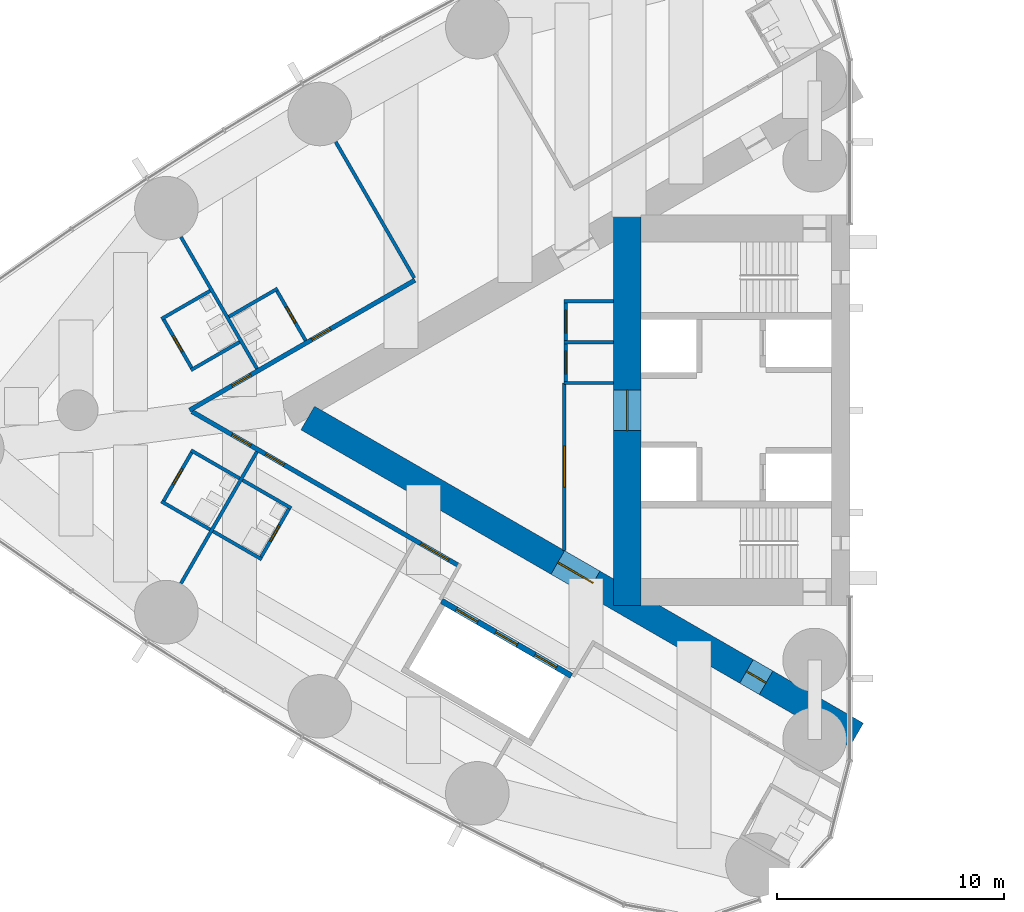
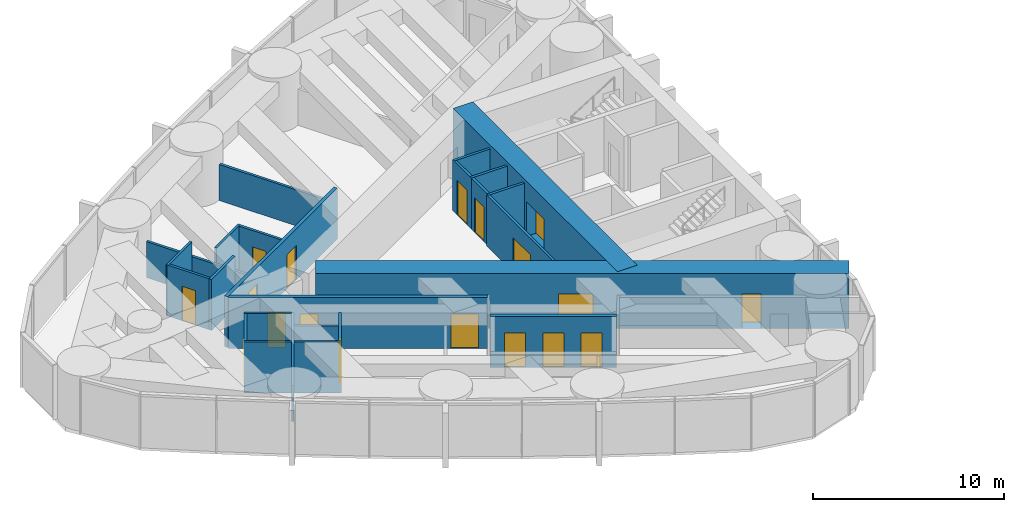
# One storey, part 12 of 18: 25 walls, 18 doors, 18 openings.
"""IFC4 building model written with IfcOpenShell, lengths in metres."""

from ifc_helpers import new_model, si_unit, direction, frame, frame_2d, origin, place, context, subcontext, project, spatial, rectangle, extrude, material, layer, layer_set, type_object, element, fill, save


model = new_model("IFC4")

# Units and contexts
model_context = context("Model", 3, precision=1e-05, world=origin(), true_north=direction((0.0, 1.0)))
body_context = subcontext(model_context, "Body", "Model", "MODEL_VIEW")
ifc_project = project(units=[si_unit("LENGTHUNIT", "METRE"), si_unit("AREAUNIT", "SQUARE_METRE"), si_unit("VOLUMEUNIT", "CUBIC_METRE"), si_unit("PLANEANGLEUNIT", "RADIAN"), si_unit("MASSUNIT", "GRAM", prefix="KILO")], contexts=[model_context])

# Site, building, storey
site_placement = place(None, origin())
site = spatial("IfcSite", under=ifc_project, at=site_placement, CompositionType="ELEMENT")
building_placement = place(site_placement, origin())
building = spatial("IfcBuilding", under=site, at=building_placement, Name="Lancet Gate Hotel", CompositionType="ELEMENT")
storey_placement = place(building_placement, frame((0.0, 0.0, 166.800048828125)))
storey = spatial("IfcBuildingStorey", under=building, at=storey_placement, Name="L44", CompositionType="ELEMENT", Elevation=166.800048828125)

# Wall
ifc_material_1 = material(Name="Moisture resistant board partition")
ifc_layer_1 = layer(ifc_material_1, 0.14990234375)
ifc_layer_set_1 = layer_set([ifc_layer_1], Name="Bathroom wall 150")
wall_type_1 = type_object("IfcWallType", Name="Bathroom wall 150", PredefinedType="PARTITIONING", material=ifc_layer_set_1)
wall_1_placement = place(storey_placement, frame((-52.693603515625, 5.354736328125, 0.0), z_axis=(0.0, 0.0, 1.0), x_axis=(-0.866031185235, -0.4999899861, 0.0)))
element("IfcWall", 1, at=wall_1_placement, inside=storey, type_object=wall_type_1, Name="T1 bathroom wall 150 L44", PredefinedType="PARTITIONING", context=body_context, shape_type="SweptSolid", body=[
    extrude(rectangle(XDim=2.47509765625, YDim=0.14990234375, at=frame_2d((1.237548828125, 0.0))), origin(), (0.0, 0.0, 1.0), 3.25),
])

# Wall, opening, door
wall_2_placement = place(storey_placement, frame((-51.458740234375, 3.0654296875, 0.0), z_axis=(0.0, 0.0, 1.0), x_axis=(-0.499936506574, 0.866062058628, 0.0)))
wall_2 = element("IfcWall", 2, at=wall_2_placement, inside=storey, type_object=wall_type_1, Name="T1 bathroom wall 150 L44", PredefinedType="PARTITIONING", context=body_context, shape_type="SweptSolid", body=[
    extrude(rectangle(XDim=2.599853515625, YDim=0.14990234375, at=frame_2d((1.2998046875, 0.0))), origin(), (0.0, 0.0, 1.0), 3.25),
])
opening_1_placement = place(wall_2_placement, frame((0.89990234375, 0.0, 0.0)))
opening_1 = element("IfcOpeningElement", 3, at=opening_1_placement, cuts=wall_2, Name="Opening 4403-B", PredefinedType="OPENING", context=body_context, shape_type="SweptSolid", body=[
    extrude(rectangle(XDim=0.800048828125, YDim=2.199951171875, at=frame_2d((0.39990234375, 1.10009765625))), frame((0.0, 0.0849609375, 0.0), z_axis=(0.0, -1.0, 0.0), x_axis=(1.0, 0.0, 0.0)), (0.0, 0.0, 1.0), 0.169921875),
])
ifc_material_2 = material(Name="Timber door set", Category="wood")
door_type_1 = type_object("IfcDoorType", Name="Bathroom door 800", OperationType="SINGLE_SWING_RIGHT", PredefinedType="DOOR", material=ifc_material_2)
door_1_placement = place(opening_1_placement, origin())
door_1 = element("IfcDoor", 4, at=door_1_placement, inside=storey, type_object=door_type_1, Name="4403-B", OperationType="SINGLE_SWING_RIGHT", OverallHeight=2.199951171875, OverallWidth=0.800048828125, PredefinedType="DOOR", context=body_context, shape_type="SweptSolid", body=[
    extrude(rectangle(XDim=0.800048828125, YDim=2.199951171875, at=frame_2d((0.39990234375, 1.10009765625))), frame((0.0, 0.02490234375, 0.0), z_axis=(0.0, -1.0, 0.0), x_axis=(1.0, 0.0, 0.0)), (0.0, 0.0, 1.0), 0.050048828125),
])
fill(opening_1, door_1)

# Wall
wall_3_placement = place(storey_placement, frame((-55.6669921875, 5.254638671875, 0.0), z_axis=(0.0, 0.0, 1.0), x_axis=(-0.866006523861, -0.500032699561, 0.0)))
element("IfcWall", 5, at=wall_3_placement, inside=storey, type_object=wall_type_1, Name="T1 bathroom wall 150 L44", PredefinedType="PARTITIONING", context=body_context, shape_type="SweptSolid", body=[
    extrude(rectangle(XDim=2.474853515625, YDim=0.14990234375, at=frame_2d((1.2373046875, 0.0))), origin(), (0.0, 0.0, 1.0), 3.25),
])

# Wall, opening, door
wall_4_placement = place(storey_placement, frame((-56.445556640625, 1.802978515625, 0.0), z_axis=(0.0, 0.0, 1.0), x_axis=(-0.499936506574, 0.866062058628, 0.0)))
wall_4 = element("IfcWall", 6, at=wall_4_placement, inside=storey, type_object=wall_type_1, Name="T1 bathroom wall 150 L44", PredefinedType="PARTITIONING", context=body_context, shape_type="SweptSolid", body=[
    extrude(rectangle(XDim=2.599853515625, YDim=0.14990234375, at=frame_2d((1.2998046875, 0.0))), origin(), (0.0, 0.0, 1.0), 3.25),
])
opening_2_placement = place(wall_4_placement, frame((0.89990234375, 0.0, 0.0)))
opening_2 = element("IfcOpeningElement", 7, at=opening_2_placement, cuts=wall_4, Name="Opening 4404-B", PredefinedType="OPENING", context=body_context, shape_type="SweptSolid", body=[
    extrude(rectangle(XDim=0.800048828125, YDim=2.199951171875, at=frame_2d((0.39990234375, 1.10009765625))), frame((0.0, 0.0849609375, 0.0), z_axis=(0.0, -1.0, 0.0), x_axis=(1.0, 0.0, 0.0)), (0.0, 0.0, 1.0), 0.169921875),
])
door_2_placement = place(opening_2_placement, origin())
door_2 = element("IfcDoor", 8, at=door_2_placement, inside=storey, type_object=door_type_1, Name="4404-B", OperationType="SINGLE_SWING_RIGHT", OverallHeight=2.199951171875, OverallWidth=0.800048828125, PredefinedType="DOOR", context=body_context, shape_type="SweptSolid", body=[
    extrude(rectangle(XDim=0.800048828125, YDim=2.199951171875, at=frame_2d((0.39990234375, 1.10009765625))), frame((0.0, 0.02490234375, 0.0), z_axis=(0.0, -1.0, 0.0), x_axis=(1.0, 0.0, 0.0)), (0.0, 0.0, 1.0), 0.050048828125),
])
fill(opening_2, door_2)

# Walls
wall_5_placement = place(storey_placement, frame((-54.366943359375, 3.0029296875, 0.0), z_axis=(0.0, 0.0, 1.0), x_axis=(-0.866031185235, -0.4999899861, 0.0)))
element("IfcWall", 9, at=wall_5_placement, inside=storey, type_object=wall_type_1, Name="T1 bathroom wall 150 L44", PredefinedType="PARTITIONING", context=body_context, shape_type="SweptSolid", body=[
    extrude(rectangle(XDim=2.47509765625, YDim=0.14990234375, at=frame_2d((1.237548828125, 0.0))), origin(), (0.0, 0.0, 1.0), 3.25),
])
wall_6_placement = place(storey_placement, frame((-55.6669921875, -5.254638671875, 0.0), z_axis=(0.0, 0.0, 1.0), x_axis=(-0.866006523861, 0.500032699561, 0.0)))
element("IfcWall", 10, at=wall_6_placement, inside=storey, type_object=wall_type_1, Name="T1 bathroom wall 150 L44", PredefinedType="PARTITIONING", context=body_context, shape_type="SweptSolid", body=[
    extrude(rectangle(XDim=2.474853515625, YDim=0.14990234375, at=frame_2d((1.2373046875, 0.0))), origin(), (0.0, 0.0, 1.0), 3.25),
])

# Wall, opening, door
wall_7_placement = place(storey_placement, frame((-56.445556640625, -1.802978515625, 0.0), z_axis=(0.0, 0.0, 1.0), x_axis=(-0.499936506574, -0.866062058628, 0.0)))
wall_7 = element("IfcWall", 11, at=wall_7_placement, inside=storey, type_object=wall_type_1, Name="T1 bathroom wall 150 L44", PredefinedType="PARTITIONING", context=body_context, shape_type="SweptSolid", body=[
    extrude(rectangle(XDim=2.599853515625, YDim=0.14990234375, at=frame_2d((1.2998046875, 0.0))), origin(), (0.0, 0.0, 1.0), 3.25),
])
opening_3_placement = place(wall_7_placement, frame((0.89990234375, 0.0, 0.0)))
opening_3 = element("IfcOpeningElement", 12, at=opening_3_placement, cuts=wall_7, Name="Opening 4405-B", PredefinedType="OPENING", context=body_context, shape_type="SweptSolid", body=[
    extrude(rectangle(XDim=0.800048828125, YDim=2.199951171875, at=frame_2d((0.39990234375, 1.10009765625))), frame((0.0, 0.0849609375, 0.0), z_axis=(0.0, -1.0, 0.0), x_axis=(1.0, 0.0, 0.0)), (0.0, 0.0, 1.0), 0.169921875),
])
door_3_placement = place(opening_3_placement, origin())
door_3 = element("IfcDoor", 13, at=door_3_placement, inside=storey, type_object=door_type_1, Name="4405-B", OperationType="SINGLE_SWING_RIGHT", OverallHeight=2.199951171875, OverallWidth=0.800048828125, PredefinedType="DOOR", context=body_context, shape_type="SweptSolid", body=[
    extrude(rectangle(XDim=0.800048828125, YDim=2.199951171875, at=frame_2d((0.39990234375, 1.10009765625))), frame((0.0, 0.02490234375, 0.0), z_axis=(0.0, -1.0, 0.0), x_axis=(1.0, 0.0, 0.0)), (0.0, 0.0, 1.0), 0.050048828125),
])
fill(opening_3, door_3)

# Walls
for number, where, z_axis, x_axis, name in (
    (14, (-54.366943359375, -3.0029296875, 0.0), (0.0, 0.0, 1.0), (-0.866031185235, 0.4999899861, 0.0), "T1 bathroom wall 150 L44"),
    (15, (-53.3935546875, -6.567138671875, 0.0), (0.0, 0.0, 1.0), (-0.866031185235, 0.4999899861, 0.0), "T1 bathroom wall 150 L44"),
):
    element("IfcWall", number, at=place(storey_placement, frame(where, z_axis=z_axis, x_axis=x_axis)), inside=storey, type_object=wall_type_1, Name=name, PredefinedType="PARTITIONING", context=body_context, shape_type="SweptSolid", body=[
        extrude(rectangle(XDim=2.47509765625, YDim=0.14990234375, at=frame_2d((1.237548828125, 0.0))), origin(), (0.0, 0.0, 1.0), 3.25),
    ])

# Wall, opening, door
wall_8_placement = place(storey_placement, frame((-52.15869140625, -4.278076171875, 0.0), z_axis=(0.0, 0.0, 1.0), x_axis=(-0.500047596559, -0.865997922154, 0.0)))
wall_8 = element("IfcWall", 16, at=wall_8_placement, inside=storey, type_object=wall_type_1, Name="T1 bathroom wall 150 L44", PredefinedType="PARTITIONING", context=body_context, shape_type="SweptSolid", body=[
    extrude(rectangle(XDim=2.599853515625, YDim=0.14990234375, at=frame_2d((1.2998046875, 0.0))), origin(), (0.0, 0.0, 1.0), 3.25),
])
opening_4_placement = place(wall_8_placement, frame((0.89990234375, 0.0, 0.0)))
opening_4 = element("IfcOpeningElement", 17, at=opening_4_placement, cuts=wall_8, Name="Opening 4406-B", PredefinedType="OPENING", context=body_context, shape_type="SweptSolid", body=[
    extrude(rectangle(XDim=0.800048828125, YDim=2.199951171875, at=frame_2d((0.39990234375, 1.10009765625))), frame((0.0, 0.0849609375, 0.0), z_axis=(0.0, -1.0, 0.0), x_axis=(1.0, 0.0, 0.0)), (0.0, 0.0, 1.0), 0.169921875),
])
door_4_placement = place(opening_4_placement, origin())
door_4 = element("IfcDoor", 18, at=door_4_placement, inside=storey, type_object=door_type_1, Name="4406-B", OperationType="SINGLE_SWING_RIGHT", OverallHeight=2.199951171875, OverallWidth=0.800048828125, PredefinedType="DOOR", context=body_context, shape_type="SweptSolid", body=[
    extrude(rectangle(XDim=0.800048828125, YDim=2.199951171875, at=frame_2d((0.39990234375, 1.10009765625))), frame((0.0, 0.02490234375, 0.0), z_axis=(0.0, -1.0, 0.0), x_axis=(1.0, 0.0, 0.0)), (0.0, 0.0, 1.0), 0.050048828125),
])
fill(opening_4, door_4)

# Wall
wall_9_placement = place(storey_placement, frame((-52.09375, -4.3154296875, 0.0), z_axis=(0.0, 0.0, 1.0), x_axis=(-0.866006523861, 0.500032699561, 0.0)))
element("IfcWall", 19, at=wall_9_placement, inside=storey, type_object=wall_type_1, Name="T1 bathroom wall 150 L44", PredefinedType="PARTITIONING", context=body_context, shape_type="SweptSolid", body=[
    extrude(rectangle(XDim=2.474853515625, YDim=0.14990234375, at=frame_2d((1.2373046875, 0.0))), origin(), (0.0, 0.0, 1.0), 2.449951171875),
])

# Wall, openings, doors
ifc_material_3 = material(Name="Concrete C70/85", Category="concrete")
ifc_layer_2 = layer(ifc_material_3, 1.199951171875)
ifc_layer_set_2 = layer_set([ifc_layer_2], Name="Buttress wall 1200")
wall_type_2 = type_object("IfcWallType", Name="Buttress wall 1200", PredefinedType="SHEAR", material=ifc_layer_set_2)
wall_10_placement = place(storey_placement, frame((-27.199951171875, -14.300048828125, 0.0), z_axis=(0.0, 0.0, 1.0), x_axis=(-0.866024021859, 0.500002393557, 0.0)))
wall_10 = element("IfcWall", 20, at=wall_10_placement, inside=storey, type_object=wall_type_2, Name="T1 buttress wall N L44", PredefinedType="SHEAR", context=body_context, shape_type="SweptSolid", body=[
    extrude(rectangle(XDim=27.906982421875, YDim=1.199951171875, at=frame_2d((13.95361328125, 0.0))), origin(), (0.0, 0.0, 1.0), 3.5),
])
opening_5_placement = place(wall_10_placement, frame((4.60009765625, 0.0, 0.0)))
opening_5 = element("IfcOpeningElement", 21, at=opening_5_placement, cuts=wall_10, Name="Opening T1-L44-LN", PredefinedType="OPENING", context=body_context, shape_type="SweptSolid", body=[
    extrude(rectangle(XDim=1.0, YDim=2.199951171875, at=frame_2d((0.5, 1.10009765625))), frame((0.0, 0.60986328125, 0.0), z_axis=(0.0, -1.0, 0.0), x_axis=(1.0, 0.0, 0.0)), (0.0, 0.0, 1.0), 1.219970703125),
])
opening_6_placement = place(wall_10_placement, frame((13.39453125, 0.0, 0.0)))
opening_6 = element("IfcOpeningElement", 22, at=opening_6_placement, cuts=wall_10, Name="Opening T1-L44-LHN", PredefinedType="OPENING", context=body_context, shape_type="SweptSolid", body=[
    extrude(rectangle(XDim=1.800048828125, YDim=2.199951171875, at=frame_2d((0.89990234375, 1.10009765625))), frame((0.0, 0.60986328125, 0.0), z_axis=(0.0, -1.0, 0.0), x_axis=(1.0, 0.0, 0.0)), (0.0, 0.0, 1.0), 1.219970703125),
])
ifc_material_4 = material(Name="Timber door set", Category="wood")
door_type_2 = type_object("IfcDoorType", Name="Lobby double door 1800", OperationType="DOUBLE_DOOR_SINGLE_SWING", PredefinedType="DOOR", material=ifc_material_4)
door_5_placement = place(opening_6_placement, origin())
door_5 = element("IfcDoor", 23, at=door_5_placement, inside=storey, type_object=door_type_2, Name="T1-L44-LHN", OperationType="DOUBLE_DOOR_SINGLE_SWING", OverallHeight=2.199951171875, OverallWidth=1.800048828125, PredefinedType="DOOR", context=body_context, shape_type="SweptSolid", body=[
    extrude(rectangle(XDim=1.800048828125, YDim=2.199951171875, at=frame_2d((0.89990234375, 1.10009765625))), frame((0.0, 0.02490234375, 0.0), z_axis=(0.0, -1.0, 0.0), x_axis=(1.0, 0.0, 0.0)), (0.0, 0.0, 1.0), 0.050048828125),
])
fill(opening_6, door_5)
ifc_material_5 = material(Name="Timber door set", Category="wood")
door_type_3 = type_object("IfcDoorType", Name="Stair lobby door 1000", OperationType="SINGLE_SWING_LEFT", PredefinedType="DOOR", material=ifc_material_5)
door_6_placement = place(opening_5_placement, origin())
door_6 = element("IfcDoor", 24, at=door_6_placement, inside=storey, type_object=door_type_3, Name="T1-L44-LN", OperationType="SINGLE_SWING_LEFT", OverallHeight=2.199951171875, OverallWidth=1.0, PredefinedType="DOOR", context=body_context, shape_type="SweptSolid", body=[
    extrude(rectangle(XDim=1.0, YDim=2.199951171875, at=frame_2d((0.5, 1.10009765625))), frame((0.0, 0.02490234375, 0.0), z_axis=(0.0, -1.0, 0.0), x_axis=(1.0, 0.0, 0.0)), (0.0, 0.0, 1.0), 0.050048828125),
])
fill(opening_5, door_6)

# Wall, opening, door
ifc_material_6 = material(Name="Concrete C70/85", Category="concrete")
ifc_layer_3 = layer(ifc_material_6, 1.199951171875)
ifc_layer_set_3 = layer_set([ifc_layer_3], Name="Core wall 1200")
wall_type_3 = type_object("IfcWallType", Name="Core wall 1200", PredefinedType="SHEAR", material=ifc_layer_set_3)
wall_11_placement = place(storey_placement, frame((-37.300048828125, 8.60009765625, 0.0), z_axis=(0.0, 0.0, 1.0), x_axis=(0.0, -1.0, 0.0)))
wall_11 = element("IfcWall", 25, at=wall_11_placement, inside=storey, type_object=wall_type_3, Name="T1 core wall back L44", PredefinedType="SHEAR", context=body_context, shape_type="SweptSolid", body=[
    extrude(rectangle(XDim=17.2001953125, YDim=1.199951171875, at=frame_2d((8.60009765625, 0.0))), origin(), (0.0, 0.0, 1.0), 3.5),
])
opening_7_placement = place(wall_11_placement, frame((7.699951171875, 0.0, 0.0)))
opening_7 = element("IfcOpeningElement", 26, at=opening_7_placement, cuts=wall_11, Name="Opening T1-L44-LL", PredefinedType="OPENING", context=body_context, shape_type="SweptSolid", body=[
    extrude(rectangle(XDim=1.800048828125, YDim=2.199951171875, at=frame_2d((0.89990234375, 1.10009765625))), frame((0.0, 0.60986328125, 0.0), z_axis=(0.0, -1.0, 0.0), x_axis=(1.0, 0.0, 0.0)), (0.0, 0.0, 1.0), 1.219970703125),
])
door_7_placement = place(opening_7_placement, origin())
door_7 = element("IfcDoor", 27, at=door_7_placement, inside=storey, type_object=door_type_2, Name="T1-L44-LL", OperationType="DOUBLE_DOOR_SINGLE_SWING", OverallHeight=2.199951171875, OverallWidth=1.800048828125, PredefinedType="DOOR", context=body_context, shape_type="SweptSolid", body=[
    extrude(rectangle(XDim=1.800048828125, YDim=2.199951171875, at=frame_2d((0.89990234375, 1.10009765625))), frame((0.0, 0.02490234375, 0.0), z_axis=(0.0, -1.0, 0.0), x_axis=(1.0, 0.0, 0.0)), (0.0, 0.0, 1.0), 0.050048828125),
])
fill(opening_7, door_7)

# Wall, openings, doors
ifc_material_7 = material(Name="Gypsum board partition")
ifc_layer_4 = layer(ifc_material_7, 0.199951171875)
ifc_layer_set_4 = layer_set([ifc_layer_4], Name="Corridor wall 200")
wall_type_4 = type_object("IfcWallType", Name="Corridor wall 200", PredefinedType="PARTITIONING", material=ifc_layer_set_4)
wall_12_placement = place(storey_placement, frame((-44.715087890625, -6.843505859375, 0.0), z_axis=(0.0, 0.0, 1.0), x_axis=(-0.866025261224, 0.500000246922, 0.0)))
wall_12 = element("IfcWall", 28, at=wall_12_placement, inside=storey, type_object=wall_type_4, Name="T1 corridor wall 200 L44", PredefinedType="PARTITIONING", context=body_context, shape_type="SweptSolid", body=[
    extrude(rectangle(XDim=13.56689453125, YDim=0.199951171875, at=frame_2d((6.783447265625, 0.0))), origin(), (0.0, 0.0, 1.0), 3.25),
])
opening_8_placement = place(wall_12_placement, frame((10.5791015625, 0.0, 0.0)))
opening_8 = element("IfcOpeningElement", 29, at=opening_8_placement, cuts=wall_12, Name="Opening 4405-E", PredefinedType="OPENING", context=body_context, shape_type="SweptSolid", body=[
    extrude(rectangle(XDim=0.949951171875, YDim=2.199951171875, at=frame_2d((0.47509765625, 1.10009765625))), frame((0.0, 0.10986328125, 0.0), z_axis=(0.0, -1.0, 0.0), x_axis=(1.0, 0.0, 0.0)), (0.0, 0.0, 1.0), 0.219970703125),
])
opening_9_placement = place(wall_12_placement, frame((8.879150390625, 0.0, 0.0)))
opening_9 = element("IfcOpeningElement", 30, at=opening_9_placement, cuts=wall_12, Name="Opening 4406-E", PredefinedType="OPENING", context=body_context, shape_type="SweptSolid", body=[
    extrude(rectangle(XDim=0.949951171875, YDim=2.199951171875, at=frame_2d((0.47509765625, 1.10009765625))), frame((0.0, 0.10986328125, 0.0), z_axis=(0.0, -1.0, 0.0), x_axis=(1.0, 0.0, 0.0)), (0.0, 0.0, 1.0), 0.219970703125),
])
opening_10_placement = place(wall_12_placement, frame((0.5, 0.0, 0.0)))
opening_10 = element("IfcOpeningElement", 31, at=opening_10_placement, cuts=wall_12, Name="Opening T1-L44-LO1", PredefinedType="OPENING", context=body_context, shape_type="SweptSolid", body=[
    extrude(rectangle(XDim=1.43505859375, YDim=2.199951171875, at=frame_2d((0.717529296875, 1.10009765625))), frame((0.0, 0.10986328125, 0.0), z_axis=(0.0, -1.0, 0.0), x_axis=(1.0, 0.0, 0.0)), (0.0, 0.0, 1.0), 0.219970703125),
])
ifc_material_8 = material(Name="Timber door set", Category="wood")
door_type_4 = type_object("IfcDoorType", Name="Guest room entry door 950", OperationType="SINGLE_SWING_LEFT", PredefinedType="DOOR", material=ifc_material_8)
door_8_placement = place(opening_8_placement, origin())
door_8 = element("IfcDoor", 32, at=door_8_placement, inside=storey, type_object=door_type_4, Name="4405-E", OperationType="SINGLE_SWING_LEFT", OverallHeight=2.199951171875, OverallWidth=0.949951171875, PredefinedType="DOOR", context=body_context, shape_type="SweptSolid", body=[
    extrude(rectangle(XDim=0.949951171875, YDim=2.199951171875, at=frame_2d((0.47509765625, 1.10009765625))), frame((0.0, 0.02490234375, 0.0), z_axis=(0.0, -1.0, 0.0), x_axis=(1.0, 0.0, 0.0)), (0.0, 0.0, 1.0), 0.050048828125),
])
fill(opening_8, door_8)
door_9_placement = place(opening_9_placement, origin())
door_9 = element("IfcDoor", 33, at=door_9_placement, inside=storey, type_object=door_type_4, Name="4406-E", OperationType="SINGLE_SWING_LEFT", OverallHeight=2.199951171875, OverallWidth=0.949951171875, PredefinedType="DOOR", context=body_context, shape_type="SweptSolid", body=[
    extrude(rectangle(XDim=0.949951171875, YDim=2.199951171875, at=frame_2d((0.47509765625, 1.10009765625))), frame((0.0, 0.02490234375, 0.0), z_axis=(0.0, -1.0, 0.0), x_axis=(1.0, 0.0, 0.0)), (0.0, 0.0, 1.0), 0.050048828125),
])
fill(opening_9, door_9)
door_10_placement = place(opening_10_placement, origin())
door_10 = element("IfcDoor", 34, at=door_10_placement, inside=storey, type_object=door_type_4, Name="T1-L44-LO1", OperationType="SINGLE_SWING_LEFT", OverallHeight=2.199951171875, OverallWidth=1.43505859375, PredefinedType="DOOR", context=body_context, shape_type="SweptSolid", body=[
    extrude(rectangle(XDim=1.43505859375, YDim=2.199951171875, at=frame_2d((0.717529296875, 1.10009765625))), frame((0.0, 0.02490234375, 0.0), z_axis=(0.0, -1.0, 0.0), x_axis=(1.0, 0.0, 0.0)), (0.0, 0.0, 1.0), 0.050048828125),
])
fill(opening_10, door_10)

wall_13_placement = place(storey_placement, frame((-46.650390625, 5.72607421875, 0.0), z_axis=(0.0, 0.0, 1.0), x_axis=(-0.866027963864, -0.499995565786, 0.0)))
wall_13 = element("IfcWall", 35, at=wall_13_placement, inside=storey, type_object=wall_type_4, Name="T1 corridor wall 200 L44", PredefinedType="PARTITIONING", context=body_context, shape_type="SweptSolid", body=[
    extrude(rectangle(XDim=11.4521484375, YDim=0.199951171875, at=frame_2d((5.72607421875, 0.0))), origin(), (0.0, 0.0, 1.0), 3.25),
])
opening_11_placement = place(wall_13_placement, frame((4.294189453125, 0.0, 0.0)))
opening_11 = element("IfcOpeningElement", 36, at=opening_11_placement, cuts=wall_13, Name="Opening 4403-E", PredefinedType="OPENING", context=body_context, shape_type="SweptSolid", body=[
    extrude(rectangle(XDim=0.949951171875, YDim=2.199951171875, at=frame_2d((0.47509765625, 1.10009765625))), frame((0.0, 0.10986328125, 0.0), z_axis=(0.0, -1.0, 0.0), x_axis=(1.0, 0.0, 0.0)), (0.0, 0.0, 1.0), 0.219970703125),
])
opening_12_placement = place(wall_13_placement, frame((8.34423828125, 0.0, 0.0)))
opening_12 = element("IfcOpeningElement", 37, at=opening_12_placement, cuts=wall_13, Name="Opening 4404-E", PredefinedType="OPENING", context=body_context, shape_type="SweptSolid", body=[
    extrude(rectangle(XDim=0.949951171875, YDim=2.199951171875, at=frame_2d((0.47509765625, 1.10009765625))), frame((0.0, 0.10986328125, 0.0), z_axis=(0.0, -1.0, 0.0), x_axis=(1.0, 0.0, 0.0)), (0.0, 0.0, 1.0), 0.219970703125),
])
door_11_placement = place(opening_11_placement, origin())
door_11 = element("IfcDoor", 38, at=door_11_placement, inside=storey, type_object=door_type_4, Name="4403-E", OperationType="SINGLE_SWING_LEFT", OverallHeight=2.199951171875, OverallWidth=0.949951171875, PredefinedType="DOOR", context=body_context, shape_type="SweptSolid", body=[
    extrude(rectangle(XDim=0.949951171875, YDim=2.199951171875, at=frame_2d((0.47509765625, 1.10009765625))), frame((0.0, 0.02490234375, 0.0), z_axis=(0.0, -1.0, 0.0), x_axis=(1.0, 0.0, 0.0)), (0.0, 0.0, 1.0), 0.050048828125),
])
fill(opening_11, door_11)
door_12_placement = place(opening_12_placement, origin())
door_12 = element("IfcDoor", 39, at=door_12_placement, inside=storey, type_object=door_type_4, Name="4404-E", OperationType="SINGLE_SWING_LEFT", OverallHeight=2.199951171875, OverallWidth=0.949951171875, PredefinedType="DOOR", context=body_context, shape_type="SweptSolid", body=[
    extrude(rectangle(XDim=0.949951171875, YDim=2.199951171875, at=frame_2d((0.47509765625, 1.10009765625))), frame((0.0, 0.02490234375, 0.0), z_axis=(0.0, -1.0, 0.0), x_axis=(1.0, 0.0, 0.0)), (0.0, 0.0, 1.0), 0.050048828125),
])
fill(opening_12, door_12)

ifc_material_9 = material(Name="Gypsum board partition")
ifc_layer_5 = layer(ifc_material_9, 0.25)
ifc_layer_set_5 = layer_set([ifc_layer_5], Name="Lift shaft partition 250")
wall_type_5 = type_object("IfcWallType", Name="Lift shaft partition 250", PredefinedType="PARTITIONING", material=ifc_layer_set_5)
wall_14_placement = place(storey_placement, frame((-39.757568359375, -11.697265625, 0.0), z_axis=(0.0, 0.0, 1.0), x_axis=(-0.866024194504, 0.500002094529, 0.0)))
wall_14 = element("IfcWall", 40, at=wall_14_placement, inside=storey, type_object=wall_type_5, Name="T1 lift shaft wall HL L44", PredefinedType="PARTITIONING", context=body_context, shape_type="SweptSolid", body=[
    extrude(rectangle(XDim=6.60009765625, YDim=0.25, at=frame_2d((3.300048828125, 0.0))), origin(), (0.0, 0.0, 1.0), 3.25),
])
opening_13_placement = place(wall_14_placement, frame((0.75, 0.0, 0.0)))
opening_13 = element("IfcOpeningElement", 41, at=opening_13_placement, cuts=wall_14, Name="Opening T1-HL1-L44", PredefinedType="OPENING", context=body_context, shape_type="SweptSolid", body=[
    extrude(rectangle(XDim=1.10009765625, YDim=2.199951171875, at=frame_2d((0.550048828125, 1.10009765625))), frame((0.0, 0.135009765625, 0.0), z_axis=(0.0, -1.0, 0.0), x_axis=(1.0, 0.0, 0.0)), (0.0, 0.0, 1.0), 0.27001953125),
])
opening_14_placement = place(wall_14_placement, frame((2.75, 0.0, 0.0)))
opening_14 = element("IfcOpeningElement", 42, at=opening_14_placement, cuts=wall_14, Name="Opening T1-HL2-L44", PredefinedType="OPENING", context=body_context, shape_type="SweptSolid", body=[
    extrude(rectangle(XDim=1.10009765625, YDim=2.199951171875, at=frame_2d((0.550048828125, 1.10009765625))), frame((0.0, 0.135009765625, 0.0), z_axis=(0.0, -1.0, 0.0), x_axis=(1.0, 0.0, 0.0)), (0.0, 0.0, 1.0), 0.27001953125),
])
opening_15_placement = place(wall_14_placement, frame((4.75, 0.0, 0.0)))
opening_15 = element("IfcOpeningElement", 43, at=opening_15_placement, cuts=wall_14, Name="Opening T1-HL3-L44", PredefinedType="OPENING", context=body_context, shape_type="SweptSolid", body=[
    extrude(rectangle(XDim=1.10009765625, YDim=2.199951171875, at=frame_2d((0.550048828125, 1.10009765625))), frame((0.0, 0.135009765625, 0.0), z_axis=(0.0, -1.0, 0.0), x_axis=(1.0, 0.0, 0.0)), (0.0, 0.0, 1.0), 0.27001953125),
])
ifc_material_10 = material(Name="Steel door set", Category="steel")
door_type_5 = type_object("IfcDoorType", Name="Lift landing door 1100", OperationType="DOUBLE_DOOR_SLIDING", PredefinedType="USERDEFINED", material=ifc_material_10)
door_13_placement = place(opening_13_placement, origin())
door_13 = element("IfcDoor", 44, at=door_13_placement, inside=storey, type_object=door_type_5, Name="T1-HL1-L44", ObjectType="LIFT LANDING DOOR", OperationType="DOUBLE_DOOR_SLIDING", OverallHeight=2.199951171875, OverallWidth=1.10009765625, PredefinedType="USERDEFINED", context=body_context, shape_type="SweptSolid", body=[
    extrude(rectangle(XDim=1.10009765625, YDim=2.199951171875, at=frame_2d((0.550048828125, 1.10009765625))), frame((0.0, 0.02490234375, 0.0), z_axis=(0.0, -1.0, 0.0), x_axis=(1.0, 0.0, 0.0)), (0.0, 0.0, 1.0), 0.050048828125),
])
fill(opening_13, door_13)
door_14_placement = place(opening_14_placement, origin())
door_14 = element("IfcDoor", 45, at=door_14_placement, inside=storey, type_object=door_type_5, Name="T1-HL2-L44", ObjectType="LIFT LANDING DOOR", OperationType="DOUBLE_DOOR_SLIDING", OverallHeight=2.199951171875, OverallWidth=1.10009765625, PredefinedType="USERDEFINED", context=body_context, shape_type="SweptSolid", body=[
    extrude(rectangle(XDim=1.10009765625, YDim=2.199951171875, at=frame_2d((0.550048828125, 1.10009765625))), frame((0.0, 0.02490234375, 0.0), z_axis=(0.0, -1.0, 0.0), x_axis=(1.0, 0.0, 0.0)), (0.0, 0.0, 1.0), 0.050048828125),
])
fill(opening_14, door_14)
door_15_placement = place(opening_15_placement, origin())
door_15 = element("IfcDoor", 46, at=door_15_placement, inside=storey, type_object=door_type_5, Name="T1-HL3-L44", ObjectType="LIFT LANDING DOOR", OperationType="DOUBLE_DOOR_SLIDING", OverallHeight=2.199951171875, OverallWidth=1.10009765625, PredefinedType="USERDEFINED", context=body_context, shape_type="SweptSolid", body=[
    extrude(rectangle(XDim=1.10009765625, YDim=2.199951171875, at=frame_2d((0.550048828125, 1.10009765625))), frame((0.0, 0.02490234375, 0.0), z_axis=(0.0, -1.0, 0.0), x_axis=(1.0, 0.0, 0.0)), (0.0, 0.0, 1.0), 0.050048828125),
])
fill(opening_15, door_15)

# Walls
ifc_material_11 = material(Name="Gypsum board partition")
ifc_layer_6 = layer(ifc_material_11, 0.14990234375)
ifc_layer_set_6 = layer_set([ifc_layer_6], Name="Party wall 150")
wall_type_6 = type_object("IfcWallType", Name="Party wall 150", PredefinedType="PARTITIONING", material=ifc_layer_set_6)
wall_15_placement = place(storey_placement, frame((-46.6787109375, 5.8251953125, 0.0), z_axis=(0.0, 0.0, 1.0), x_axis=(-0.500006839597, 0.866021454905, 0.0)))
element("IfcWall", 47, at=wall_15_placement, inside=storey, type_object=wall_type_6, Name="T1 party wall 150 L44", PredefinedType="PARTITIONING", context=body_context, shape_type="SweptSolid", body=[
    extrude(rectangle(XDim=6.9111328125, YDim=0.14990234375, at=frame_2d((3.45556640625, 0.0))), origin(), (0.0, 0.0, 1.0), 2.300048828125),
])
for number, where, z_axis, x_axis, name in (
    (48, (-53.60205078125, 1.828125, 0.0), (0.0, 0.0, 1.0), (-0.49999191814, 0.866030069798, 0.0), "T1 party wall 150 L44"),
    (49, (-53.60205078125, -1.828125, 0.0), (0.0, 0.0, 1.0), (-0.49999191814, -0.866030069798, 0.0), "T1 party wall 150 L44"),
):
    element("IfcWall", number, at=place(storey_placement, frame(where, z_axis=z_axis, x_axis=x_axis)), inside=storey, type_object=wall_type_6, Name=name, PredefinedType="PARTITIONING", context=body_context, shape_type="SweptSolid", body=[
        extrude(rectangle(XDim=6.6923828125, YDim=0.14990234375, at=frame_2d((3.34619140625, 0.0))), origin(), (0.0, 0.0, 1.0), 2.300048828125),
    ])
ifc_material_12 = material(Name="Gypsum board partition")
ifc_layer_7 = layer(ifc_material_12, 0.14990234375)
ifc_layer_set_7 = layer_set([ifc_layer_7], Name="Service room wall 150")
wall_type_7 = type_object("IfcWallType", Name="Service room wall 150", PredefinedType="PARTITIONING", material=ifc_layer_set_7)
for number, where, z_axis, x_axis, name in (
    (50, (-37.89990234375, 1.199951171875, 0.0), (0.0, 0.0, 1.0), (-1.0, 0.0, 0.0), "T1 service room wall 150 L44"),
    (51, (-37.89990234375, 3.0, 0.0), (0.0, 0.0, 1.0), (-1.0, 0.0, 0.0), "T1 service room wall 150 L44"),
    (52, (-37.89990234375, 4.800048828125, 0.0), (0.0, 0.0, 1.0), (-1.0, 0.0, 0.0), "T1 service room wall 150 L44"),
):
    element("IfcWall", number, at=place(storey_placement, frame(where, z_axis=z_axis, x_axis=x_axis)), inside=storey, type_object=wall_type_7, Name=name, PredefinedType="PARTITIONING", context=body_context, shape_type="SweptSolid", body=[
        extrude(rectangle(XDim=2.175048828125, YDim=0.14990234375, at=frame_2d((1.08740234375, 0.0))), origin(), (0.0, 0.0, 1.0), 3.25),
    ])

# Wall, opening, door
wall_16_placement = place(storey_placement, frame((-40.0, 3.074951171875, 0.0), z_axis=(0.0, 0.0, 1.0), x_axis=(0.0, -1.0, 0.0)))
wall_16 = element("IfcWall", 53, at=wall_16_placement, inside=storey, type_object=wall_type_7, Name="T1 service room wall 150 L44", PredefinedType="PARTITIONING", context=body_context, shape_type="SweptSolid", body=[
    extrude(rectangle(XDim=1.949951171875, YDim=0.14990234375, at=frame_2d((0.97509765625, 0.0))), origin(), (0.0, 0.0, 1.0), 3.25),
])
opening_16_placement = place(wall_16_placement, frame((0.47509765625, 0.0, 0.0)))
opening_16 = element("IfcOpeningElement", 54, at=opening_16_placement, cuts=wall_16, Name="Opening T1-L44-HRS0", PredefinedType="OPENING", context=body_context, shape_type="SweptSolid", body=[
    extrude(rectangle(XDim=1.0, YDim=2.199951171875, at=frame_2d((0.5, 1.10009765625))), frame((0.0, 0.0849609375, 0.0), z_axis=(0.0, -1.0, 0.0), x_axis=(1.0, 0.0, 0.0)), (0.0, 0.0, 1.0), 0.169921875),
])
ifc_material_13 = material(Name="Timber door set", Category="wood")
door_type_6 = type_object("IfcDoorType", Name="Service door 1000", OperationType="SINGLE_SWING_LEFT", PredefinedType="DOOR", material=ifc_material_13)
door_16_placement = place(opening_16_placement, origin())
door_16 = element("IfcDoor", 55, at=door_16_placement, inside=storey, type_object=door_type_6, Name="T1-L44-HRS0", OperationType="SINGLE_SWING_LEFT", OverallHeight=2.199951171875, OverallWidth=1.0, PredefinedType="DOOR", context=body_context, shape_type="SweptSolid", body=[
    extrude(rectangle(XDim=1.0, YDim=2.199951171875, at=frame_2d((0.5, 1.10009765625))), frame((0.0, 0.02490234375, 0.0), z_axis=(0.0, -1.0, 0.0), x_axis=(1.0, 0.0, 0.0)), (0.0, 0.0, 1.0), 0.050048828125),
])
fill(opening_16, door_16)

wall_17_placement = place(storey_placement, frame((-40.0, 4.875, 0.0), z_axis=(0.0, 0.0, 1.0), x_axis=(0.0, -1.0, 0.0)))
wall_17 = element("IfcWall", 56, at=wall_17_placement, inside=storey, type_object=wall_type_7, Name="T1 service room wall 150 L44", PredefinedType="PARTITIONING", context=body_context, shape_type="SweptSolid", body=[
    extrude(rectangle(XDim=1.949951171875, YDim=0.14990234375, at=frame_2d((0.97509765625, 0.0))), origin(), (0.0, 0.0, 1.0), 3.25),
])
opening_17_placement = place(wall_17_placement, frame((0.47509765625, 0.0, 0.0)))
opening_17 = element("IfcOpeningElement", 57, at=opening_17_placement, cuts=wall_17, Name="Opening T1-L44-HRS1", PredefinedType="OPENING", context=body_context, shape_type="SweptSolid", body=[
    extrude(rectangle(XDim=1.0, YDim=2.199951171875, at=frame_2d((0.5, 1.10009765625))), frame((0.0, 0.0849609375, 0.0), z_axis=(0.0, -1.0, 0.0), x_axis=(1.0, 0.0, 0.0)), (0.0, 0.0, 1.0), 0.169921875),
])
door_17_placement = place(opening_17_placement, origin())
door_17 = element("IfcDoor", 58, at=door_17_placement, inside=storey, type_object=door_type_6, Name="T1-L44-HRS1", OperationType="SINGLE_SWING_LEFT", OverallHeight=2.199951171875, OverallWidth=1.0, PredefinedType="DOOR", context=body_context, shape_type="SweptSolid", body=[
    extrude(rectangle(XDim=1.0, YDim=2.199951171875, at=frame_2d((0.5, 1.10009765625))), frame((0.0, 0.02490234375, 0.0), z_axis=(0.0, -1.0, 0.0), x_axis=(1.0, 0.0, 0.0)), (0.0, 0.0, 1.0), 0.050048828125),
])
fill(opening_17, door_17)

wall_18_placement = place(storey_placement, frame((-40.074951171875, 1.199951171875, 0.0), z_axis=(0.0, 0.0, 1.0), x_axis=(0.0, -1.0, 0.0)))
wall_18 = element("IfcWall", 59, at=wall_18_placement, inside=storey, type_object=wall_type_7, Name="T1 service room wall 150 L44", PredefinedType="PARTITIONING", context=body_context, shape_type="SweptSolid", body=[
    extrude(rectangle(XDim=7.373779296875, YDim=0.14990234375, at=frame_2d((3.68701171875, 0.0))), origin(), (0.0, 0.0, 1.0), 3.25),
])
opening_18_placement = place(wall_18_placement, frame((2.786865234375, 0.0, 0.0)))
opening_18 = element("IfcOpeningElement", 60, at=opening_18_placement, cuts=wall_18, Name="Opening T1-L44-LH", PredefinedType="OPENING", context=body_context, shape_type="SweptSolid", body=[
    extrude(rectangle(XDim=1.800048828125, YDim=2.199951171875, at=frame_2d((0.89990234375, 1.10009765625))), frame((0.0, 0.0849609375, 0.0), z_axis=(0.0, -1.0, 0.0), x_axis=(1.0, 0.0, 0.0)), (0.0, 0.0, 1.0), 0.169921875),
])
door_18_placement = place(opening_18_placement, origin())
door_18 = element("IfcDoor", 61, at=door_18_placement, inside=storey, type_object=door_type_2, Name="T1-L44-LH", OperationType="DOUBLE_DOOR_SINGLE_SWING", OverallHeight=2.199951171875, OverallWidth=1.800048828125, PredefinedType="DOOR", context=body_context, shape_type="SweptSolid", body=[
    extrude(rectangle(XDim=1.800048828125, YDim=2.199951171875, at=frame_2d((0.89990234375, 1.10009765625))), frame((0.0, 0.02490234375, 0.0), z_axis=(0.0, -1.0, 0.0), x_axis=(1.0, 0.0, 0.0)), (0.0, 0.0, 1.0), 0.050048828125),
])
fill(opening_18, door_18)

save(model, "model.ifc")
